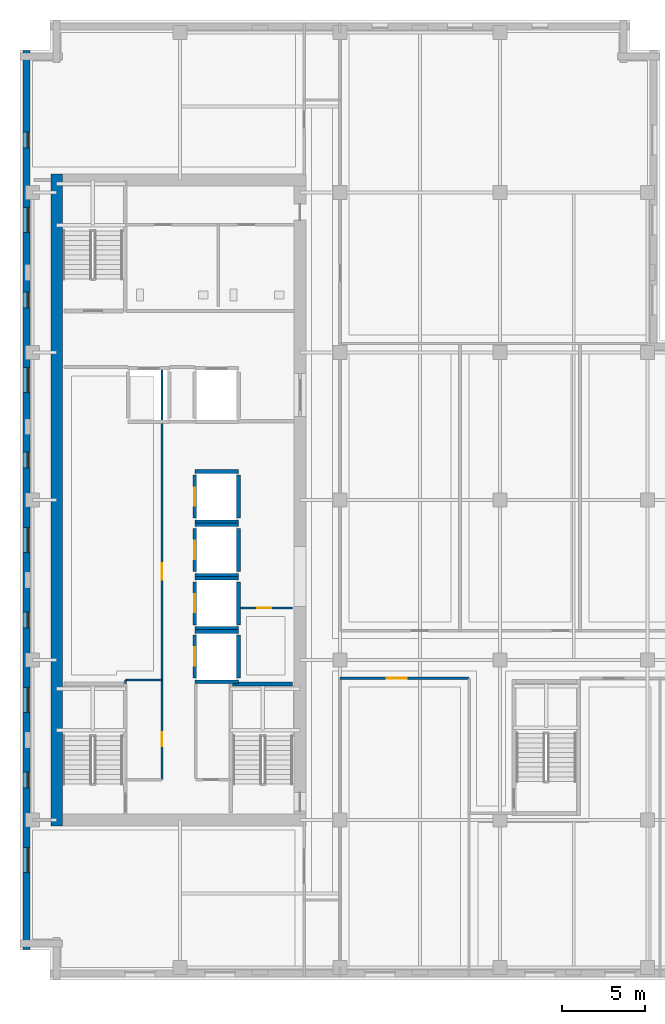
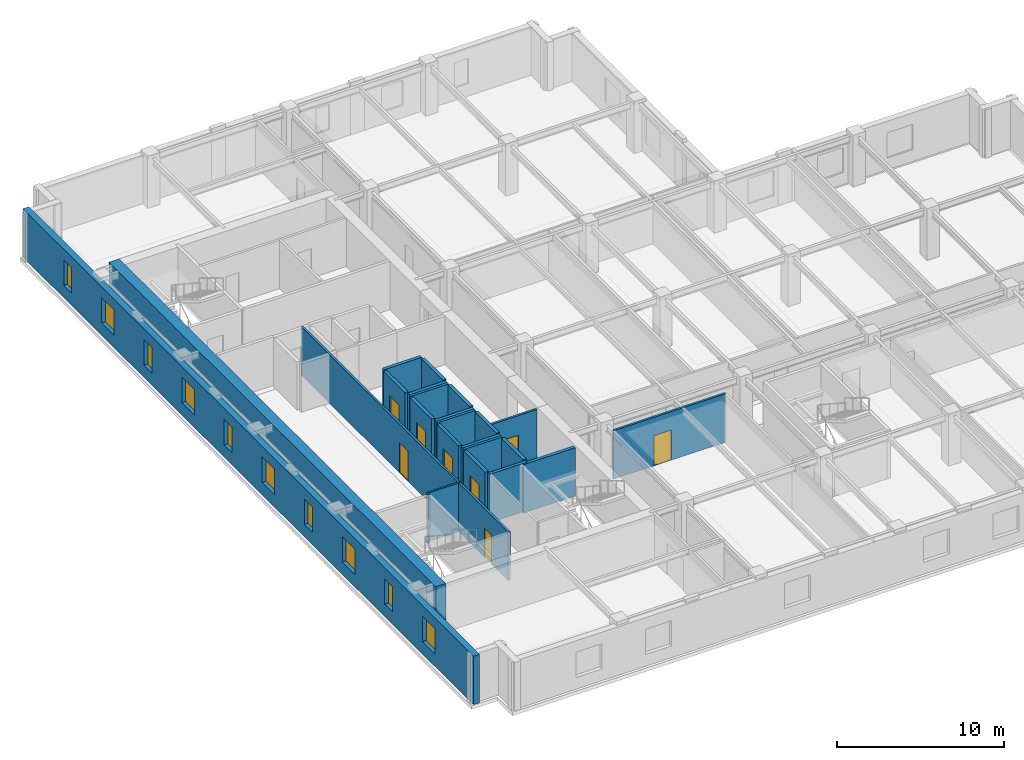
# One storey, part 4 of 11: 24 walls, 10 windows, 8 doors, 18 openings.
"""IFC4 building model written with IfcOpenShell, lengths in metres."""

from ifc_helpers import new_model, si_unit, direction, frame, frame_2d, origin, place, context, subcontext, project, spatial, rectangle, extrude, material, layer, layer_set, type_object, element, fill, save


model = new_model("IFC4")

# Units and contexts
model_context = context("Model", 3, precision=1e-05, world=origin(), true_north=direction((0.0, 1.0)))
body_context = subcontext(model_context, "Body", "Model", "MODEL_VIEW")
ifc_project = project(units=[si_unit("LENGTHUNIT", "METRE"), si_unit("AREAUNIT", "SQUARE_METRE"), si_unit("VOLUMEUNIT", "CUBIC_METRE"), si_unit("PLANEANGLEUNIT", "RADIAN"), si_unit("MASSUNIT", "GRAM", prefix="KILO")], contexts=[model_context])

# Site, building, storey
site_placement = place(None, origin())
site = spatial("IfcSite", under=ifc_project, at=site_placement, CompositionType="ELEMENT")
building_placement = place(site_placement, origin())
building = spatial("IfcBuilding", under=site, at=building_placement, Name="Norrvale University Quadrangle", CompositionType="ELEMENT")
storey_placement = place(building_placement, frame((0.0, 0.0, 210.39990234375)))
storey = spatial("IfcBuildingStorey", under=building, at=storey_placement, Name="L53", CompositionType="ELEMENT", Elevation=210.39990234375)

# Wall, openings, windows
ifc_material_1 = material(Name="Buff Norman Clay Brick Masonry", Category="masonry")
ifc_layer_1 = layer(ifc_material_1, 0.419921875, Name="Buff Norman Clay Brick Masonry")
ifc_layer_set_1 = layer_set([ifc_layer_1], Name="Buff Norman Clay Brick Masonry")
wall_type_1 = type_object("IfcWallType", Name="Wall Buff Brick 420", PredefinedType="SOLIDWALL", material=ifc_layer_set_1)
wall_1_placement = place(storey_placement, frame((0.389892578125, 55.760009765625, 0.0), z_axis=(0.0, 0.0, 1.0), x_axis=(0.0, -1.0, 0.0)))
wall_1 = element("IfcWall", 1, at=wall_1_placement, inside=storey, type_object=wall_type_1, Name="Exterior Brick Facade Wall L53-14.1", PredefinedType="SOLIDWALL", context=body_context, shape_type="SweptSolid", body=[
    extrude(rectangle(XDim=53.919921875, YDim=0.419921875, at=frame_2d((26.9599609375, 0.0))), origin(), (0.0, 0.0, 1.0), 3.5400390625),
])
opening_1_placement = place(wall_1_placement, frame((4.885009765625, 0.0, 0.89990234375)))
opening_1 = element("IfcOpeningElement", 2, at=opening_1_placement, cuts=wall_1, Name="Opening W04", PredefinedType="OPENING", context=body_context, shape_type="SweptSolid", body=[
    extrude(rectangle(XDim=0.949951171875, YDim=1.85009765625, at=frame_2d((0.47509765625, 0.925048828125))), frame((0.0, 0.221923828125, 0.0), z_axis=(0.0, -1.0, 0.0), x_axis=(1.0, 0.0, 0.0)), (0.0, 0.0, 1.0), 0.44384765625),
])
opening_2_placement = place(wall_1_placement, frame((9.409912109375, 0.0, 0.89990234375)))
opening_2 = element("IfcOpeningElement", 3, at=opening_2_placement, cuts=wall_1, Name="Opening W03", PredefinedType="OPENING", context=body_context, shape_type="SweptSolid", body=[
    extrude(rectangle(XDim=1.5, YDim=1.85009765625, at=frame_2d((0.75, 0.925048828125))), frame((0.0, 0.221923828125, 0.0), z_axis=(0.0, -1.0, 0.0), x_axis=(1.0, 0.0, 0.0)), (0.0, 0.0, 1.0), 0.44384765625),
])
opening_3_placement = place(wall_1_placement, frame((14.485107421875, 0.0, 0.89990234375)))
opening_3 = element("IfcOpeningElement", 4, at=opening_3_placement, cuts=wall_1, Name="Opening W04", PredefinedType="OPENING", context=body_context, shape_type="SweptSolid", body=[
    extrude(rectangle(XDim=0.949951171875, YDim=1.85009765625, at=frame_2d((0.47509765625, 0.925048828125))), frame((0.0, 0.221923828125, 0.0), z_axis=(0.0, -1.0, 0.0), x_axis=(1.0, 0.0, 0.0)), (0.0, 0.0, 1.0), 0.44384765625),
])
opening_4_placement = place(wall_1_placement, frame((19.010009765625, 0.0, 0.89990234375)))
opening_4 = element("IfcOpeningElement", 5, at=opening_4_placement, cuts=wall_1, Name="Opening W03", PredefinedType="OPENING", context=body_context, shape_type="SweptSolid", body=[
    extrude(rectangle(XDim=1.5, YDim=1.85009765625, at=frame_2d((0.75, 0.925048828125))), frame((0.0, 0.221923828125, 0.0), z_axis=(0.0, -1.0, 0.0), x_axis=(1.0, 0.0, 0.0)), (0.0, 0.0, 1.0), 0.44384765625),
])
opening_5_placement = place(wall_1_placement, frame((24.0849609375, 0.0, 0.89990234375)))
opening_5 = element("IfcOpeningElement", 6, at=opening_5_placement, cuts=wall_1, Name="Opening W04", PredefinedType="OPENING", context=body_context, shape_type="SweptSolid", body=[
    extrude(rectangle(XDim=0.949951171875, YDim=1.85009765625, at=frame_2d((0.47509765625, 0.925048828125))), frame((0.0, 0.221923828125, 0.0), z_axis=(0.0, -1.0, 0.0), x_axis=(1.0, 0.0, 0.0)), (0.0, 0.0, 1.0), 0.44384765625),
])
opening_6_placement = place(wall_1_placement, frame((28.610107421875, 0.0, 0.89990234375)))
opening_6 = element("IfcOpeningElement", 7, at=opening_6_placement, cuts=wall_1, Name="Opening W03", PredefinedType="OPENING", context=body_context, shape_type="SweptSolid", body=[
    extrude(rectangle(XDim=1.5, YDim=1.85009765625, at=frame_2d((0.75, 0.925048828125))), frame((0.0, 0.221923828125, 0.0), z_axis=(0.0, -1.0, 0.0), x_axis=(1.0, 0.0, 0.0)), (0.0, 0.0, 1.0), 0.44384765625),
])
opening_7_placement = place(wall_1_placement, frame((33.68505859375, 0.0, 0.89990234375)))
opening_7 = element("IfcOpeningElement", 8, at=opening_7_placement, cuts=wall_1, Name="Opening W04", PredefinedType="OPENING", context=body_context, shape_type="SweptSolid", body=[
    extrude(rectangle(XDim=0.949951171875, YDim=1.85009765625, at=frame_2d((0.47509765625, 0.925048828125))), frame((0.0, 0.221923828125, 0.0), z_axis=(0.0, -1.0, 0.0), x_axis=(1.0, 0.0, 0.0)), (0.0, 0.0, 1.0), 0.44384765625),
])
opening_8_placement = place(wall_1_placement, frame((38.2099609375, 0.0, 0.89990234375)))
opening_8 = element("IfcOpeningElement", 9, at=opening_8_placement, cuts=wall_1, Name="Opening W03", PredefinedType="OPENING", context=body_context, shape_type="SweptSolid", body=[
    extrude(rectangle(XDim=1.5, YDim=1.85009765625, at=frame_2d((0.75, 0.925048828125))), frame((0.0, 0.221923828125, 0.0), z_axis=(0.0, -1.0, 0.0), x_axis=(1.0, 0.0, 0.0)), (0.0, 0.0, 1.0), 0.44384765625),
])
opening_9_placement = place(wall_1_placement, frame((43.284912109375, 0.0, 0.89990234375)))
opening_9 = element("IfcOpeningElement", 10, at=opening_9_placement, cuts=wall_1, Name="Opening W04", PredefinedType="OPENING", context=body_context, shape_type="SweptSolid", body=[
    extrude(rectangle(XDim=0.949951171875, YDim=1.85009765625, at=frame_2d((0.47509765625, 0.925048828125))), frame((0.0, 0.221923828125, 0.0), z_axis=(0.0, -1.0, 0.0), x_axis=(1.0, 0.0, 0.0)), (0.0, 0.0, 1.0), 0.44384765625),
])
opening_10_placement = place(wall_1_placement, frame((47.81005859375, 0.0, 0.89990234375)))
opening_10 = element("IfcOpeningElement", 11, at=opening_10_placement, cuts=wall_1, Name="Opening W03", PredefinedType="OPENING", context=body_context, shape_type="SweptSolid", body=[
    extrude(rectangle(XDim=1.5, YDim=1.85009765625, at=frame_2d((0.75, 0.925048828125))), frame((0.0, 0.221923828125, 0.0), z_axis=(0.0, -1.0, 0.0), x_axis=(1.0, 0.0, 0.0)), (0.0, 0.0, 1.0), 0.44384765625),
])
ifc_material_2 = material(Name="Triple Low-E Argon Glazing", Category="glass")
window_type_1 = type_object("IfcWindowType", Name="Window Narrow Pier 950x2300", PartitioningType="SINGLE_PANEL", PredefinedType="WINDOW", material=ifc_material_2)
window_1_placement = place(opening_1_placement, origin())
window_1 = element("IfcWindow", 12, at=window_1_placement, inside=storey, type_object=window_type_1, Name="Window Narrow Pier 950x2300 WIN-L53-E14-1-01", OverallHeight=1.85009765625, OverallWidth=0.949951171875, PartitioningType="SINGLE_PANEL", PredefinedType="WINDOW", context=body_context, shape_type="SweptSolid", body=[
    extrude(rectangle(XDim=0.949951171875, YDim=1.85009765625, at=frame_2d((0.47509765625, 0.925048828125))), frame((0.0, 0.110107421875, 0.0), z_axis=(0.0, -1.0, 0.0), x_axis=(1.0, 0.0, 0.0)), (0.0, 0.0, 1.0), 0.06005859375),
])
fill(opening_1, window_1)
window_2_placement = place(opening_3_placement, origin())
window_2 = element("IfcWindow", 13, at=window_2_placement, inside=storey, type_object=window_type_1, Name="Window Narrow Pier 950x2300 WIN-L53-E14-1-03", OverallHeight=1.85009765625, OverallWidth=0.949951171875, PartitioningType="SINGLE_PANEL", PredefinedType="WINDOW", context=body_context, shape_type="SweptSolid", body=[
    extrude(rectangle(XDim=0.949951171875, YDim=1.85009765625, at=frame_2d((0.47509765625, 0.925048828125))), frame((0.0, 0.110107421875, 0.0), z_axis=(0.0, -1.0, 0.0), x_axis=(1.0, 0.0, 0.0)), (0.0, 0.0, 1.0), 0.06005859375),
])
fill(opening_3, window_2)
window_3_placement = place(opening_5_placement, origin())
window_3 = element("IfcWindow", 14, at=window_3_placement, inside=storey, type_object=window_type_1, Name="Window Narrow Pier 950x2300 WIN-L53-E14-1-05", OverallHeight=1.85009765625, OverallWidth=0.949951171875, PartitioningType="SINGLE_PANEL", PredefinedType="WINDOW", context=body_context, shape_type="SweptSolid", body=[
    extrude(rectangle(XDim=0.949951171875, YDim=1.85009765625, at=frame_2d((0.47509765625, 0.925048828125))), frame((0.0, 0.110107421875, 0.0), z_axis=(0.0, -1.0, 0.0), x_axis=(1.0, 0.0, 0.0)), (0.0, 0.0, 1.0), 0.06005859375),
])
fill(opening_5, window_3)
window_4_placement = place(opening_7_placement, origin())
window_4 = element("IfcWindow", 15, at=window_4_placement, inside=storey, type_object=window_type_1, Name="Window Narrow Pier 950x2300 WIN-L53-E14-1-07", OverallHeight=1.85009765625, OverallWidth=0.949951171875, PartitioningType="SINGLE_PANEL", PredefinedType="WINDOW", context=body_context, shape_type="SweptSolid", body=[
    extrude(rectangle(XDim=0.949951171875, YDim=1.85009765625, at=frame_2d((0.47509765625, 0.925048828125))), frame((0.0, 0.110107421875, 0.0), z_axis=(0.0, -1.0, 0.0), x_axis=(1.0, 0.0, 0.0)), (0.0, 0.0, 1.0), 0.06005859375),
])
fill(opening_7, window_4)
window_5_placement = place(opening_9_placement, origin())
window_5 = element("IfcWindow", 16, at=window_5_placement, inside=storey, type_object=window_type_1, Name="Window Narrow Pier 950x2300 WIN-L53-E14-1-09", OverallHeight=1.85009765625, OverallWidth=0.949951171875, PartitioningType="SINGLE_PANEL", PredefinedType="WINDOW", context=body_context, shape_type="SweptSolid", body=[
    extrude(rectangle(XDim=0.949951171875, YDim=1.85009765625, at=frame_2d((0.47509765625, 0.925048828125))), frame((0.0, 0.110107421875, 0.0), z_axis=(0.0, -1.0, 0.0), x_axis=(1.0, 0.0, 0.0)), (0.0, 0.0, 1.0), 0.06005859375),
])
fill(opening_9, window_5)
window_type_2 = type_object("IfcWindowType", Name="Window Studio 1500x2300", PartitioningType="DOUBLE_PANEL_VERTICAL", PredefinedType="WINDOW", material=ifc_material_2)
window_6_placement = place(opening_2_placement, origin())
window_6 = element("IfcWindow", 17, at=window_6_placement, inside=storey, type_object=window_type_2, Name="Window Studio 1500x2300 WIN-L53-E14-1-02", OverallHeight=1.85009765625, OverallWidth=1.5, PartitioningType="DOUBLE_PANEL_VERTICAL", PredefinedType="WINDOW", context=body_context, shape_type="SweptSolid", body=[
    extrude(rectangle(XDim=1.5, YDim=1.85009765625, at=frame_2d((0.75, 0.925048828125))), frame((0.0, 0.110107421875, 0.0), z_axis=(0.0, -1.0, 0.0), x_axis=(1.0, 0.0, 0.0)), (0.0, 0.0, 1.0), 0.06005859375),
])
fill(opening_2, window_6)
window_7_placement = place(opening_4_placement, origin())
window_7 = element("IfcWindow", 18, at=window_7_placement, inside=storey, type_object=window_type_2, Name="Window Studio 1500x2300 WIN-L53-E14-1-04", OverallHeight=1.85009765625, OverallWidth=1.5, PartitioningType="DOUBLE_PANEL_VERTICAL", PredefinedType="WINDOW", context=body_context, shape_type="SweptSolid", body=[
    extrude(rectangle(XDim=1.5, YDim=1.85009765625, at=frame_2d((0.75, 0.925048828125))), frame((0.0, 0.110107421875, 0.0), z_axis=(0.0, -1.0, 0.0), x_axis=(1.0, 0.0, 0.0)), (0.0, 0.0, 1.0), 0.06005859375),
])
fill(opening_4, window_7)
window_8_placement = place(opening_6_placement, origin())
window_8 = element("IfcWindow", 19, at=window_8_placement, inside=storey, type_object=window_type_2, Name="Window Studio 1500x2300 WIN-L53-E14-1-06", OverallHeight=1.85009765625, OverallWidth=1.5, PartitioningType="DOUBLE_PANEL_VERTICAL", PredefinedType="WINDOW", context=body_context, shape_type="SweptSolid", body=[
    extrude(rectangle(XDim=1.5, YDim=1.85009765625, at=frame_2d((0.75, 0.925048828125))), frame((0.0, 0.110107421875, 0.0), z_axis=(0.0, -1.0, 0.0), x_axis=(1.0, 0.0, 0.0)), (0.0, 0.0, 1.0), 0.06005859375),
])
fill(opening_6, window_8)
window_9_placement = place(opening_8_placement, origin())
window_9 = element("IfcWindow", 20, at=window_9_placement, inside=storey, type_object=window_type_2, Name="Window Studio 1500x2300 WIN-L53-E14-1-08", OverallHeight=1.85009765625, OverallWidth=1.5, PartitioningType="DOUBLE_PANEL_VERTICAL", PredefinedType="WINDOW", context=body_context, shape_type="SweptSolid", body=[
    extrude(rectangle(XDim=1.5, YDim=1.85009765625, at=frame_2d((0.75, 0.925048828125))), frame((0.0, 0.110107421875, 0.0), z_axis=(0.0, -1.0, 0.0), x_axis=(1.0, 0.0, 0.0)), (0.0, 0.0, 1.0), 0.06005859375),
])
fill(opening_8, window_9)
window_10_placement = place(opening_10_placement, origin())
window_10 = element("IfcWindow", 21, at=window_10_placement, inside=storey, type_object=window_type_2, Name="Window Studio 1500x2300 WIN-L53-E14-1-10", OverallHeight=1.85009765625, OverallWidth=1.5, PartitioningType="DOUBLE_PANEL_VERTICAL", PredefinedType="WINDOW", context=body_context, shape_type="SweptSolid", body=[
    extrude(rectangle(XDim=1.5, YDim=1.85009765625, at=frame_2d((0.75, 0.925048828125))), frame((0.0, 0.110107421875, 0.0), z_axis=(0.0, -1.0, 0.0), x_axis=(1.0, 0.0, 0.0)), (0.0, 0.0, 1.0), 0.06005859375),
])
fill(opening_10, window_10)

# Walls
ifc_material_3 = material(Name="Concrete C60/75", Category="concrete")
ifc_layer_2 = layer(ifc_material_3, 0.699951171875, Name="Concrete C60/75")
ifc_layer_set_2 = layer_set([ifc_layer_2], Name="Concrete C60/75")
wall_type_2 = type_object("IfcWallType", Name="Wall Core 700", PredefinedType="SHEAR", material=ifc_layer_set_2)
wall_2_placement = place(storey_placement, frame((2.199951171875, 9.25, 0.0), z_axis=(0.0, 0.0, 1.0), x_axis=(0.0, 1.0, 0.0)))
element("IfcWall", 22, at=wall_2_placement, inside=storey, type_object=wall_type_2, Name="Tower Core Shear Wall L53-W", PredefinedType="SHEAR", context=body_context, shape_type="SweptSolid", body=[
    extrude(rectangle(XDim=39.10009765625, YDim=0.699951171875, at=frame_2d((19.550048828125, 0.0))), origin(), (0.0, 0.0, 1.0), 3.5400390625),
])
ifc_material_4 = material(Name="Standard Academic Gypsum Partition")
ifc_layer_3 = layer(ifc_material_4, 0.125, Name="Standard Academic Gypsum Partition")
ifc_layer_set_3 = layer_set([ifc_layer_3], Name="Standard Academic Gypsum Partition")
wall_type_3 = type_object("IfcWallType", Name="Wall Gypsum Academic 125", PredefinedType="PARTITIONING", material=ifc_layer_set_3)
wall_3_placement = place(storey_placement, frame((6.320068359375, 17.800048828125, 0.0), z_axis=(0.0, 0.0, 1.0), x_axis=(0.0, 1.0, 0.0)))
element("IfcWall", 23, at=wall_3_placement, inside=storey, type_object=wall_type_3, Name="Interior Partition WL-L53-REC-L1", PredefinedType="PARTITIONING", context=body_context, shape_type="SweptSolid", body=[
    extrude(rectangle(XDim=0.199951171875, YDim=0.125, at=frame_2d((0.10009765625, 0.0))), origin(), (0.0, 0.0, 1.0), 3.5400390625),
])
wall_4_placement = place(storey_placement, frame((6.320068359375, 18.0, 0.0), z_axis=(0.0, 0.0, 1.0), x_axis=(1.0, 0.0, 0.0)))
element("IfcWall", 24, at=wall_4_placement, inside=storey, type_object=wall_type_3, Name="Interior Partition WL-L53-REC-L2", PredefinedType="PARTITIONING", context=body_context, shape_type="SweptSolid", body=[
    extrude(rectangle(XDim=2.199951171875, YDim=0.125, at=frame_2d((1.10009765625, 0.0))), origin(), (0.0, 0.0, 1.0), 3.5400390625),
])

# Wall, opening, door
ifc_material_5 = material(Name="Fire-Rated Gypsum Stud Partition")
ifc_layer_4 = layer(ifc_material_5, 0.14990234375, Name="Fire-Rated Gypsum Stud Partition")
ifc_layer_set_4 = layer_set([ifc_layer_4], Name="Fire-Rated Gypsum Stud Partition")
wall_type_4 = type_object("IfcWallType", Name="Wall Gypsum Corridor 150", PredefinedType="PARTITIONING", material=ifc_layer_set_4)
wall_5_placement = place(storey_placement, frame((13.22509765625, 22.320068359375, 0.0), z_axis=(0.0, 0.0, 1.0), x_axis=(1.0, 0.0, 0.0)))
wall_5 = element("IfcWall", 25, at=wall_5_placement, inside=storey, type_object=wall_type_4, Name="Interior Partition WL-L53-JAN-N", PredefinedType="PARTITIONING", context=body_context, shape_type="SweptSolid", body=[
    extrude(rectangle(XDim=3.119873046875, YDim=0.14990234375, at=frame_2d((1.56005859375, 0.0))), origin(), (0.0, 0.0, 1.0), 3.5400390625),
])
opening_11_placement = place(wall_5_placement, frame((1.0, 0.0, 0.0)))
opening_11 = element("IfcOpeningElement", 26, at=opening_11_placement, cuts=wall_5, Name="Opening D10", PredefinedType="OPENING", context=body_context, shape_type="SweptSolid", body=[
    extrude(rectangle(XDim=0.85009765625, YDim=2.10009765625, at=frame_2d((0.425048828125, 1.050048828125))), frame((0.0, 0.0869140625, 0.0), z_axis=(0.0, -1.0, 0.0), x_axis=(1.0, 0.0, 0.0)), (0.0, 0.0, 1.0), 0.173828125),
])
ifc_material_6 = material(Name="Hollow Steel 350W Riser Fire Door", Category="steel")
door_type_1 = type_object("IfcDoorType", Name="Door Riser 850x2100", OperationType="NOTDEFINED", PredefinedType="DOOR", material=ifc_material_6)
door_1_placement = place(opening_11_placement, origin())
door_1 = element("IfcDoor", 27, at=door_1_placement, inside=storey, type_object=door_type_1, Name="Door Riser 850x2100 DR-L53-JAN", OperationType="SINGLE_SWING_LEFT", OverallHeight=2.10009765625, OverallWidth=0.85009765625, PredefinedType="DOOR", context=body_context, shape_type="SweptSolid", body=[
    extrude(rectangle(XDim=0.85009765625, YDim=2.10009765625, at=frame_2d((0.425048828125, 1.050048828125))), frame((0.0, 0.02490234375, 0.0), z_axis=(0.0, -1.0, 0.0), x_axis=(1.0, 0.0, 0.0)), (0.0, 0.0, 1.0), 0.050048828125),
])
fill(opening_11, door_1)

# Wall, openings, doors
wall_6_placement = place(storey_placement, frame((8.52001953125, 12.02001953125, 0.0), z_axis=(0.0, 0.0, 1.0), x_axis=(0.0, 1.0, 0.0)))
wall_6 = element("IfcWall", 28, at=wall_6_placement, inside=storey, type_object=wall_type_4, Name="Interior Partition WL-L53-REC-E", PredefinedType="PARTITIONING", context=body_context, shape_type="SweptSolid", body=[
    extrude(rectangle(XDim=24.760009765625, YDim=0.14990234375, at=frame_2d((12.3798828125, 0.0))), origin(), (0.0, 0.0, 1.0), 3.5400390625),
])
opening_12_placement = place(wall_6_placement, frame((2.0, 0.0, 0.0)))
opening_12 = element("IfcOpeningElement", 29, at=opening_12_placement, cuts=wall_6, Name="Opening D10", PredefinedType="OPENING", context=body_context, shape_type="SweptSolid", body=[
    extrude(rectangle(XDim=0.85009765625, YDim=2.10009765625, at=frame_2d((0.425048828125, 1.050048828125))), frame((0.0, 0.0869140625, 0.0), z_axis=(0.0, -1.0, 0.0), x_axis=(1.0, 0.0, 0.0)), (0.0, 0.0, 1.0), 0.173828125),
])
opening_13_placement = place(wall_6_placement, frame((12.0, 0.0, 0.0)))
opening_13 = element("IfcOpeningElement", 30, at=opening_13_placement, cuts=wall_6, Name="Opening D04", PredefinedType="OPENING", context=body_context, shape_type="SweptSolid", body=[
    extrude(rectangle(XDim=1.0, YDim=2.199951171875, at=frame_2d((0.5, 1.10009765625))), frame((0.0, 0.0869140625, 0.0), z_axis=(0.0, -1.0, 0.0), x_axis=(1.0, 0.0, 0.0)), (0.0, 0.0, 1.0), 0.173828125),
])
ifc_material_7 = material(Name="Solid-Core Oak Fire Door", Category="wood")
door_type_2 = type_object("IfcDoorType", Name="Door Corridor 1000x2200", OperationType="NOTDEFINED", PredefinedType="DOOR", material=ifc_material_7)
door_2_placement = place(opening_13_placement, origin())
door_2 = element("IfcDoor", 31, at=door_2_placement, inside=storey, type_object=door_type_2, Name="Door Corridor 1000x2200 DR-L53-REC2", OperationType="SINGLE_SWING_RIGHT", OverallHeight=2.199951171875, OverallWidth=1.0, PredefinedType="DOOR", context=body_context, shape_type="SweptSolid", body=[
    extrude(rectangle(XDim=1.0, YDim=2.199951171875, at=frame_2d((0.5, 1.10009765625))), frame((0.0, 0.02490234375, 0.0), z_axis=(0.0, -1.0, 0.0), x_axis=(1.0, 0.0, 0.0)), (0.0, 0.0, 1.0), 0.050048828125),
])
fill(opening_13, door_2)
door_3_placement = place(opening_12_placement, origin())
door_3 = element("IfcDoor", 32, at=door_3_placement, inside=storey, type_object=door_type_1, Name="Door Riser 850x2100 DR-L53-REC1", OperationType="SINGLE_SWING_LEFT", OverallHeight=2.10009765625, OverallWidth=0.85009765625, PredefinedType="DOOR", context=body_context, shape_type="SweptSolid", body=[
    extrude(rectangle(XDim=0.85009765625, YDim=2.10009765625, at=frame_2d((0.425048828125, 1.050048828125))), frame((0.0, 0.02490234375, 0.0), z_axis=(0.0, -1.0, 0.0), x_axis=(1.0, 0.0, 0.0)), (0.0, 0.0, 1.0), 0.050048828125),
])
fill(opening_12, door_3)

# Wall, opening, door
wall_7_placement = place(storey_placement, frame((19.199951171875, 18.10009765625, 0.0), z_axis=(0.0, 0.0, 1.0), x_axis=(1.0, 0.0, 0.0)))
wall_7 = element("IfcWall", 33, at=wall_7_placement, inside=storey, type_object=wall_type_4, Name="Interior Partition WL-L53-SEW1", PredefinedType="PARTITIONING", context=body_context, shape_type="SweptSolid", body=[
    extrude(rectangle(XDim=7.75, YDim=0.14990234375, at=frame_2d((3.875, 0.0))), origin(), (0.0, 0.0, 1.0), 3.5400390625),
])
opening_14_placement = place(wall_7_placement, frame((2.800048828125, 0.0, 0.0)))
opening_14 = element("IfcOpeningElement", 34, at=opening_14_placement, cuts=wall_7, Name="Opening D05", PredefinedType="OPENING", context=body_context, shape_type="SweptSolid", body=[
    extrude(rectangle(XDim=1.199951171875, YDim=2.199951171875, at=frame_2d((0.60009765625, 1.10009765625))), frame((0.0, 0.0869140625, 0.0), z_axis=(0.0, -1.0, 0.0), x_axis=(1.0, 0.0, 0.0)), (0.0, 0.0, 1.0), 0.173828125),
])
ifc_material_8 = material(Name="Acoustic Oak Classroom Door", Category="wood")
door_type_3 = type_object("IfcDoorType", Name="Door Classroom 1200x2200", OperationType="NOTDEFINED", PredefinedType="DOOR", material=ifc_material_8)
door_4_placement = place(opening_14_placement, origin())
door_4 = element("IfcDoor", 35, at=door_4_placement, inside=storey, type_object=door_type_3, Name="Door Classroom 1200x2200 DR-L53-SE1", OperationType="SINGLE_SWING_LEFT", OverallHeight=2.199951171875, OverallWidth=1.199951171875, PredefinedType="DOOR", context=body_context, shape_type="SweptSolid", body=[
    extrude(rectangle(XDim=1.199951171875, YDim=2.199951171875, at=frame_2d((0.60009765625, 1.10009765625))), frame((0.0, 0.02490234375, 0.0), z_axis=(0.0, -1.0, 0.0), x_axis=(1.0, 0.0, 0.0)), (0.0, 0.0, 1.0), 0.050048828125),
])
fill(opening_14, door_4)

# Wall
ifc_material_9 = material(Name="Concrete Blockwork 20 MPa Fire Shaft", Category="masonry")
ifc_layer_5 = layer(ifc_material_9, 0.219970703125, Name="Concrete Blockwork 20 MPa Fire Shaft")
ifc_layer_set_5 = layer_set([ifc_layer_5], Name="Concrete Blockwork 20 MPa Fire Shaft")
wall_type_5 = type_object("IfcWallType", Name="Wall Shaft 220", PredefinedType="SOLIDWALL", material=ifc_layer_set_5)
wall_8_placement = place(storey_placement, frame((12.75, 17.760009765625, 0.0), z_axis=(0.0, 0.0, 1.0), x_axis=(1.0, 0.0, 0.0)))
element("IfcWall", 36, at=wall_8_placement, inside=storey, type_object=wall_type_5, Name="Stair ST-03 North Shaft Wall L53", PredefinedType="SOLIDWALL", context=body_context, shape_type="SweptSolid", body=[
    extrude(rectangle(XDim=3.60009765625, YDim=0.219970703125, at=frame_2d((1.800048828125, 0.0))), origin(), (0.0, 0.0, 1.0), 3.5400390625),
])

# Wall, opening, door
wall_9_placement = place(storey_placement, frame((10.489990234375, 18.110107421875, 0.0), z_axis=(0.0, 0.0, 1.0), x_axis=(0.0, 1.0, 0.0)))
wall_9 = element("IfcWall", 37, at=wall_9_placement, inside=storey, type_object=wall_type_5, Name="Hoistway PL-05 West Wall L53", PredefinedType="SOLIDWALL", context=body_context, shape_type="SweptSolid", body=[
    extrude(rectangle(XDim=2.579833984375, YDim=0.219970703125, at=frame_2d((1.2900390625, 0.0))), origin(), (0.0, 0.0, 1.0), 3.5400390625),
])
opening_15_placement = place(wall_9_placement, frame((0.739990234375, 0.0, 0.0)))
opening_15 = element("IfcOpeningElement", 38, at=opening_15_placement, cuts=wall_9, Name="Opening LD1", PredefinedType="OPENING", context=body_context, shape_type="SweptSolid", body=[
    extrude(rectangle(XDim=1.10009765625, YDim=2.199951171875, at=frame_2d((0.550048828125, 1.10009765625))), frame((0.0, 0.1220703125, 0.0), z_axis=(0.0, -1.0, 0.0), x_axis=(1.0, 0.0, 0.0)), (0.0, 0.0, 1.0), 0.243896484375),
])
ifc_material_10 = material(Name="Stainless Steel 316L Lift Landing Door", Category="steel")
door_type_4 = type_object("IfcDoorType", Name="Door Lift Landing 1100x2200", OperationType="DOUBLE_DOOR_SLIDING", PredefinedType="DOOR", material=ifc_material_10)
door_5_placement = place(opening_15_placement, origin())
door_5 = element("IfcDoor", 39, at=door_5_placement, inside=storey, type_object=door_type_4, Name="Elevator Landing Door DR-L53-PL-05", OperationType="DOUBLE_DOOR_SLIDING", OverallHeight=2.199951171875, OverallWidth=1.10009765625, PredefinedType="DOOR", context=body_context, shape_type="SweptSolid", body=[
    extrude(rectangle(XDim=1.10009765625, YDim=2.199951171875, at=frame_2d((0.550048828125, 1.10009765625))), frame((0.0, 0.02490234375, 0.0), z_axis=(0.0, -1.0, 0.0), x_axis=(1.0, 0.0, 0.0)), (0.0, 0.0, 1.0), 0.050048828125),
])
fill(opening_15, door_5)

# Walls
wall_10_placement = place(storey_placement, frame((13.110107421875, 18.110107421875, 0.0), z_axis=(0.0, 0.0, 1.0), x_axis=(0.0, 1.0, 0.0)))
element("IfcWall", 40, at=wall_10_placement, inside=storey, type_object=wall_type_5, Name="Hoistway PL-05 East Wall L53", PredefinedType="SOLIDWALL", context=body_context, shape_type="SweptSolid", body=[
    extrude(rectangle(XDim=2.579833984375, YDim=0.219970703125, at=frame_2d((1.2900390625, 0.0))), origin(), (0.0, 0.0, 1.0), 3.5400390625),
])
for number, where, z_axis, x_axis, name in (
    (41, (10.489990234375, 17.889892578125, 0.0), (0.0, 0.0, 1.0), (1.0, 0.0, 0.0), "Hoistway PL-05 South Wall L53"),
    (42, (10.489990234375, 20.909912109375, 0.0), (0.0, 0.0, 1.0), (1.0, 0.0, 0.0), "Hoistway PL-05 North Wall L53"),
):
    element("IfcWall", number, at=place(storey_placement, frame(where, z_axis=z_axis, x_axis=x_axis)), inside=storey, type_object=wall_type_5, Name=name, PredefinedType="SOLIDWALL", context=body_context, shape_type="SweptSolid", body=[
        extrude(rectangle(XDim=2.6201171875, YDim=0.219970703125, at=frame_2d((1.31005859375, 0.0))), origin(), (0.0, 0.0, 1.0), 3.5400390625),
    ])

# Wall, opening, door
wall_11_placement = place(storey_placement, frame((10.489990234375, 21.31005859375, 0.0), z_axis=(0.0, 0.0, 1.0), x_axis=(0.0, 1.0, 0.0)))
wall_11 = element("IfcWall", 43, at=wall_11_placement, inside=storey, type_object=wall_type_5, Name="Hoistway PL-06 West Wall L53", PredefinedType="SOLIDWALL", context=body_context, shape_type="SweptSolid", body=[
    extrude(rectangle(XDim=2.579833984375, YDim=0.219970703125, at=frame_2d((1.2900390625, 0.0))), origin(), (0.0, 0.0, 1.0), 3.5400390625),
])
opening_16_placement = place(wall_11_placement, frame((0.739990234375, 0.0, 0.0)))
opening_16 = element("IfcOpeningElement", 44, at=opening_16_placement, cuts=wall_11, Name="Opening LD1", PredefinedType="OPENING", context=body_context, shape_type="SweptSolid", body=[
    extrude(rectangle(XDim=1.10009765625, YDim=2.199951171875, at=frame_2d((0.550048828125, 1.10009765625))), frame((0.0, 0.1220703125, 0.0), z_axis=(0.0, -1.0, 0.0), x_axis=(1.0, 0.0, 0.0)), (0.0, 0.0, 1.0), 0.243896484375),
])
door_6_placement = place(opening_16_placement, origin())
door_6 = element("IfcDoor", 45, at=door_6_placement, inside=storey, type_object=door_type_4, Name="Elevator Landing Door DR-L53-PL-06", OperationType="DOUBLE_DOOR_SLIDING", OverallHeight=2.199951171875, OverallWidth=1.10009765625, PredefinedType="DOOR", context=body_context, shape_type="SweptSolid", body=[
    extrude(rectangle(XDim=1.10009765625, YDim=2.199951171875, at=frame_2d((0.550048828125, 1.10009765625))), frame((0.0, 0.02490234375, 0.0), z_axis=(0.0, -1.0, 0.0), x_axis=(1.0, 0.0, 0.0)), (0.0, 0.0, 1.0), 0.050048828125),
])
fill(opening_16, door_6)

# Walls
wall_12_placement = place(storey_placement, frame((13.110107421875, 21.31005859375, 0.0), z_axis=(0.0, 0.0, 1.0), x_axis=(0.0, 1.0, 0.0)))
element("IfcWall", 46, at=wall_12_placement, inside=storey, type_object=wall_type_5, Name="Hoistway PL-06 East Wall L53", PredefinedType="SOLIDWALL", context=body_context, shape_type="SweptSolid", body=[
    extrude(rectangle(XDim=2.579833984375, YDim=0.219970703125, at=frame_2d((1.2900390625, 0.0))), origin(), (0.0, 0.0, 1.0), 3.5400390625),
])
for number, where, z_axis, x_axis, name in (
    (47, (10.489990234375, 21.090087890625, 0.0), (0.0, 0.0, 1.0), (1.0, 0.0, 0.0), "Hoistway PL-06 South Wall L53"),
    (48, (10.489990234375, 24.110107421875, 0.0), (0.0, 0.0, 1.0), (1.0, 0.0, 0.0), "Hoistway PL-06 North Wall L53"),
):
    element("IfcWall", number, at=place(storey_placement, frame(where, z_axis=z_axis, x_axis=x_axis)), inside=storey, type_object=wall_type_5, Name=name, PredefinedType="SOLIDWALL", context=body_context, shape_type="SweptSolid", body=[
        extrude(rectangle(XDim=2.6201171875, YDim=0.219970703125, at=frame_2d((1.31005859375, 0.0))), origin(), (0.0, 0.0, 1.0), 3.5400390625),
    ])

# Wall, opening, door
wall_13_placement = place(storey_placement, frame((10.489990234375, 24.510009765625, 0.0), z_axis=(0.0, 0.0, 1.0), x_axis=(0.0, 1.0, 0.0)))
wall_13 = element("IfcWall", 49, at=wall_13_placement, inside=storey, type_object=wall_type_5, Name="Hoistway PL-07 West Wall L53", PredefinedType="SOLIDWALL", context=body_context, shape_type="SweptSolid", body=[
    extrude(rectangle(XDim=2.580078125, YDim=0.219970703125, at=frame_2d((1.2900390625, 0.0))), origin(), (0.0, 0.0, 1.0), 3.5400390625),
])
opening_17_placement = place(wall_13_placement, frame((0.739990234375, 0.0, 0.0)))
opening_17 = element("IfcOpeningElement", 50, at=opening_17_placement, cuts=wall_13, Name="Opening LD1", PredefinedType="OPENING", context=body_context, shape_type="SweptSolid", body=[
    extrude(rectangle(XDim=1.10009765625, YDim=2.199951171875, at=frame_2d((0.550048828125, 1.10009765625))), frame((0.0, 0.1220703125, 0.0), z_axis=(0.0, -1.0, 0.0), x_axis=(1.0, 0.0, 0.0)), (0.0, 0.0, 1.0), 0.243896484375),
])
door_7_placement = place(opening_17_placement, origin())
door_7 = element("IfcDoor", 51, at=door_7_placement, inside=storey, type_object=door_type_4, Name="Elevator Landing Door DR-L53-PL-07", OperationType="DOUBLE_DOOR_SLIDING", OverallHeight=2.199951171875, OverallWidth=1.10009765625, PredefinedType="DOOR", context=body_context, shape_type="SweptSolid", body=[
    extrude(rectangle(XDim=1.10009765625, YDim=2.199951171875, at=frame_2d((0.550048828125, 1.10009765625))), frame((0.0, 0.02490234375, 0.0), z_axis=(0.0, -1.0, 0.0), x_axis=(1.0, 0.0, 0.0)), (0.0, 0.0, 1.0), 0.050048828125),
])
fill(opening_17, door_7)

# Walls
wall_14_placement = place(storey_placement, frame((13.110107421875, 24.510009765625, 0.0), z_axis=(0.0, 0.0, 1.0), x_axis=(0.0, 1.0, 0.0)))
element("IfcWall", 52, at=wall_14_placement, inside=storey, type_object=wall_type_5, Name="Hoistway PL-07 East Wall L53", PredefinedType="SOLIDWALL", context=body_context, shape_type="SweptSolid", body=[
    extrude(rectangle(XDim=2.580078125, YDim=0.219970703125, at=frame_2d((1.2900390625, 0.0))), origin(), (0.0, 0.0, 1.0), 3.5400390625),
])
for number, where, z_axis, x_axis, name in (
    (53, (10.489990234375, 24.2900390625, 0.0), (0.0, 0.0, 1.0), (1.0, 0.0, 0.0), "Hoistway PL-07 South Wall L53"),
    (54, (10.489990234375, 27.31005859375, 0.0), (0.0, 0.0, 1.0), (1.0, 0.0, 0.0), "Hoistway PL-07 North Wall L53"),
):
    element("IfcWall", number, at=place(storey_placement, frame(where, z_axis=z_axis, x_axis=x_axis)), inside=storey, type_object=wall_type_5, Name=name, PredefinedType="SOLIDWALL", context=body_context, shape_type="SweptSolid", body=[
        extrude(rectangle(XDim=2.6201171875, YDim=0.219970703125, at=frame_2d((1.31005859375, 0.0))), origin(), (0.0, 0.0, 1.0), 3.5400390625),
    ])

# Wall, opening, door
wall_15_placement = place(storey_placement, frame((10.489990234375, 27.7099609375, 0.0), z_axis=(0.0, 0.0, 1.0), x_axis=(0.0, 1.0, 0.0)))
wall_15 = element("IfcWall", 55, at=wall_15_placement, inside=storey, type_object=wall_type_5, Name="Hoistway PL-08 West Wall L53", PredefinedType="SOLIDWALL", context=body_context, shape_type="SweptSolid", body=[
    extrude(rectangle(XDim=2.580078125, YDim=0.219970703125, at=frame_2d((1.2900390625, 0.0))), origin(), (0.0, 0.0, 1.0), 3.5400390625),
])
opening_18_placement = place(wall_15_placement, frame((0.739990234375, 0.0, 0.0)))
opening_18 = element("IfcOpeningElement", 56, at=opening_18_placement, cuts=wall_15, Name="Opening LD1", PredefinedType="OPENING", context=body_context, shape_type="SweptSolid", body=[
    extrude(rectangle(XDim=1.10009765625, YDim=2.199951171875, at=frame_2d((0.550048828125, 1.10009765625))), frame((0.0, 0.1220703125, 0.0), z_axis=(0.0, -1.0, 0.0), x_axis=(1.0, 0.0, 0.0)), (0.0, 0.0, 1.0), 0.243896484375),
])
door_8_placement = place(opening_18_placement, origin())
door_8 = element("IfcDoor", 57, at=door_8_placement, inside=storey, type_object=door_type_4, Name="Elevator Landing Door DR-L53-PL-08", OperationType="DOUBLE_DOOR_SLIDING", OverallHeight=2.199951171875, OverallWidth=1.10009765625, PredefinedType="DOOR", context=body_context, shape_type="SweptSolid", body=[
    extrude(rectangle(XDim=1.10009765625, YDim=2.199951171875, at=frame_2d((0.550048828125, 1.10009765625))), frame((0.0, 0.02490234375, 0.0), z_axis=(0.0, -1.0, 0.0), x_axis=(1.0, 0.0, 0.0)), (0.0, 0.0, 1.0), 0.050048828125),
])
fill(opening_18, door_8)

# Walls
wall_16_placement = place(storey_placement, frame((13.110107421875, 27.7099609375, 0.0), z_axis=(0.0, 0.0, 1.0), x_axis=(0.0, 1.0, 0.0)))
element("IfcWall", 58, at=wall_16_placement, inside=storey, type_object=wall_type_5, Name="Hoistway PL-08 East Wall L53", PredefinedType="SOLIDWALL", context=body_context, shape_type="SweptSolid", body=[
    extrude(rectangle(XDim=2.580078125, YDim=0.219970703125, at=frame_2d((1.2900390625, 0.0))), origin(), (0.0, 0.0, 1.0), 3.5400390625),
])
for number, where, z_axis, x_axis, name in (
    (59, (10.489990234375, 27.489990234375, 0.0), (0.0, 0.0, 1.0), (1.0, 0.0, 0.0), "Hoistway PL-08 South Wall L53"),
    (60, (10.489990234375, 30.510009765625, 0.0), (0.0, 0.0, 1.0), (1.0, 0.0, 0.0), "Hoistway PL-08 North Wall L53"),
):
    element("IfcWall", number, at=place(storey_placement, frame(where, z_axis=z_axis, x_axis=x_axis)), inside=storey, type_object=wall_type_5, Name=name, PredefinedType="SOLIDWALL", context=body_context, shape_type="SweptSolid", body=[
        extrude(rectangle(XDim=2.6201171875, YDim=0.219970703125, at=frame_2d((1.31005859375, 0.0))), origin(), (0.0, 0.0, 1.0), 3.5400390625),
    ])

save(model, "model.ifc")
